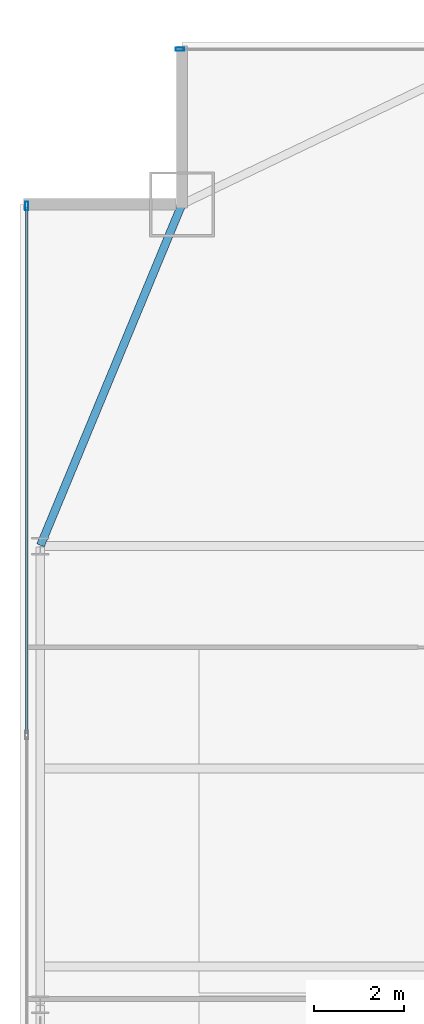
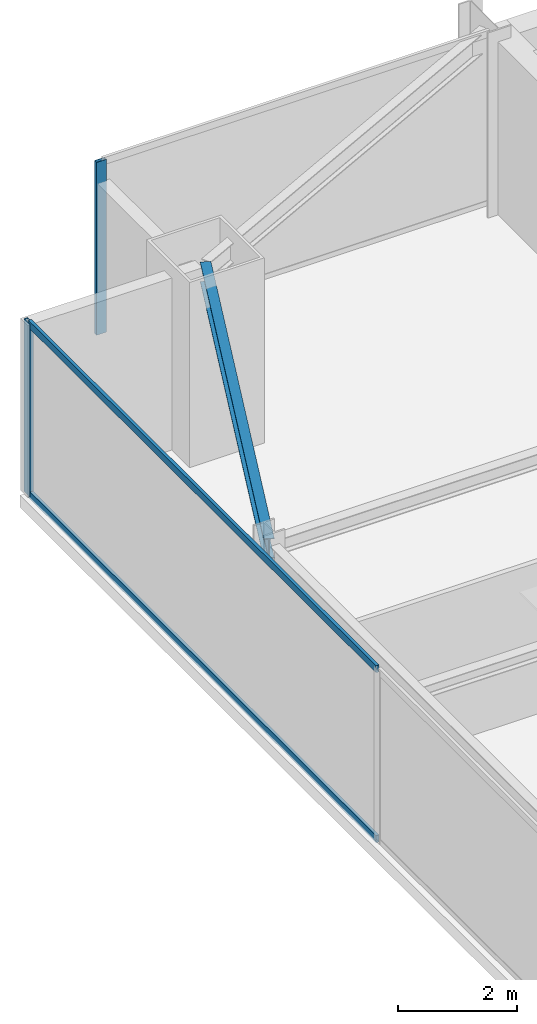
# One storey, part 21 of 33: 4 members, 1 beam, 2 elements without a shape of their own.
"""IFC4 building model written with IfcOpenShell, lengths in metres."""

from ifc_helpers import new_model, si_unit, direction, frame, origin, origin_2d, place, context, subcontext, project, spatial, hollow_rectangle, i_section, extrude, source, transform, mapped, material, layer, layer_set, material_profile, profile_set, type_object, type_shapes, element, aggregate, save


model = new_model("IFC4")

# Units and contexts
model_context = context("Model", 3, precision=1e-05, world=origin(), true_north=direction((0.0, 1.0)))
body_context = subcontext(model_context, "Body", "Model", "MODEL_VIEW")
ifc_project = project(units=[si_unit("LENGTHUNIT", "METRE"), si_unit("AREAUNIT", "SQUARE_METRE"), si_unit("VOLUMEUNIT", "CUBIC_METRE"), si_unit("PLANEANGLEUNIT", "RADIAN"), si_unit("MASSUNIT", "GRAM", prefix="KILO")], contexts=[model_context])

# Site, building, storey
site_placement = place(None, origin())
site = spatial("IfcSite", under=ifc_project, at=site_placement, CompositionType="ELEMENT")
building_placement = place(site_placement, origin())
building = spatial("IfcBuilding", under=site, at=building_placement, Name="Varnel Quay Broadcast Tower", CompositionType="ELEMENT")
storey_placement = place(building_placement, frame((0.0, 0.0, 129.60009765625)))
storey = spatial("IfcBuildingStorey", under=building, at=storey_placement, Name="L31", CompositionType="ELEMENT", Elevation=129.60009765625)

# Beam
ifc_material_1 = material(Name="Structural Steel CSA G40.21 350W", Category="steel")
ifc_material_profile_1 = material_profile(ifc_material_1, i_section(OverallWidth=0.180908203125, OverallDepth=0.4169921875, WebThickness=0.010986328125, FlangeThickness=0.018310546875, FilletRadius=0.011962890625, at=origin_2d()), Name="W410X85")
ifc_profile_set_1 = profile_set([ifc_material_profile_1], Name="Structural Steel CSA G40.21 350W")
beam_type = type_object("IfcBeamType", Name="Beam_W410X85", PredefinedType="SPANDREL", material=ifc_profile_set_1)
shared_shape_1 = source(origin(), body_context, "Body", "SweptSolid", [
    extrude(i_section(OverallWidth=0.180908203125, OverallDepth=0.4169921875, WebThickness=0.010986328125, FlangeThickness=0.018310546875, FilletRadius=0.011962890625, at=origin_2d()), origin(), (0.0, 0.0, 1.0), 8.186767578125),
])
type_shapes(beam_type, [shared_shape_1])
beam_placement = place(storey_placement, frame((4.957763671875, 35.618408203125, 3.34130859375), z_axis=(0.382874132092, 0.923800519038, 0.0), x_axis=(-0.923800519038, 0.382874132092, 0.0)))
element("IfcBeam", 1, at=beam_placement, inside=storey, type_object=beam_type, Name="L31 West Spandrel TC-W3-MC-NW", PredefinedType="SPANDREL", context=body_context, shape_type="MappedRepresentation", body=[
    mapped(shared_shape_1, transform((0.0, 0.0, 0.0), x_axis=(1.0, 0.0, 0.0), y_axis=(0.0, 1.0, 0.0), z_axis=(0.0, 0.0, 1.0), scale=1.0)),
])

# Curtain wall, members
ifc_material_2 = material(Name="Anodised Bronze Aluminium 6063-T6", Category="aluminium")
ifc_layer = layer(ifc_material_2, 0.18994140625, Name="Anodised Bronze Aluminium 6063-T6")
ifc_layer_set = layer_set([ifc_layer], Name="Anodised Bronze Aluminium 6063-T6")
curtain_wall_type = type_object("IfcCurtainWallType", Name="CW_LowerTower", PredefinedType="NOTDEFINED", material=ifc_layer_set)
curtain_wall_1_placement = place(storey_placement, origin())
curtain_wall_1 = element("IfcCurtainWall", 2, at=curtain_wall_1_placement, inside=storey, type_object=curtain_wall_type, Name="L31 West Unitised Curtain Wall", PredefinedType="NOTDEFINED")
ifc_material_profile_2 = material_profile(ifc_material_2, hollow_rectangle(XDim=0.06005859375, YDim=0.14501953125, WallThickness=0.00341796875, at=origin_2d()), Name="ALU60X145X3.5")
ifc_profile_set_2 = profile_set([ifc_material_profile_2], Name="Anodised Bronze Aluminium 6063-T6")
member_type_1 = type_object("IfcMemberType", Name="Tran_CWS-02", PredefinedType="USERDEFINED", material=ifc_profile_set_2)
shared_shape_2 = source(origin(), body_context, "Body", "SweptSolid", [
    extrude(hollow_rectangle(XDim=0.06005859375, YDim=0.14501953125, WallThickness=0.00341796875, at=origin_2d()), origin(), (0.0, 0.0, 1.0), 11.69482421875),
])
type_shapes(member_type_1, [shared_shape_2])
member_1_placement = place(storey_placement, frame((4.64990234375, 31.43505859375, 0.02978515625), z_axis=(0.0, 1.0, 0.0), x_axis=(-1.0, 0.0, 0.0)))
member_1 = element("IfcMember", 3, at=member_1_placement, type_object=member_type_1, Name="CWS-02 transom 3.1", ObjectType="TRANSOM", PredefinedType="USERDEFINED", context=body_context, shape_type="MappedRepresentation", body=[
    mapped(shared_shape_2, transform((0.0, 0.0, 0.0), x_axis=(1.0, 0.0, 0.0), y_axis=(0.0, 1.0, 0.0), z_axis=(0.0, 0.0, 1.0), scale=1.0)),
])
member_2_placement = place(storey_placement, frame((4.64990234375, 31.43505859375, 3.52001953125), z_axis=(0.0, 1.0, 0.0), x_axis=(-1.0, 0.0, 0.0)))
member_2 = element("IfcMember", 4, at=member_2_placement, type_object=member_type_1, Name="CWS-02 transom 3.2", ObjectType="TRANSOM", PredefinedType="USERDEFINED", context=body_context, shape_type="MappedRepresentation", body=[
    mapped(shared_shape_2, transform((0.0, 0.0, 0.0), x_axis=(1.0, 0.0, 0.0), y_axis=(0.0, 1.0, 0.0), z_axis=(0.0, 0.0, 1.0), scale=1.0)),
])
ifc_material_profile_3 = material_profile(ifc_material_2, hollow_rectangle(XDim=0.070068359375, YDim=0.18994140625, WallThickness=0.00390625, at=origin_2d()), Name="ALU70X190X4")
ifc_profile_set_3 = profile_set([ifc_material_profile_3], Name="Anodised Bronze Aluminium 6063-T6")
member_type_2 = type_object("IfcMemberType", Name="Mull_CWS-02", PredefinedType="MULLION", material=ifc_profile_set_3)
shared_shape_3 = source(origin(), body_context, "Body", "SweptSolid", [
    extrude(hollow_rectangle(XDim=0.070068359375, YDim=0.18994140625, WallThickness=0.00390625, at=origin_2d()), origin(), (0.0, 0.0, 1.0), 3.5498046875),
])
type_shapes(member_type_2, [shared_shape_3])
member_3_placement = place(storey_placement, frame((4.64990234375, 43.1650390625, 0.0), z_axis=(0.0, 0.0, 1.0), x_axis=(-1.0, 0.0, 0.0)))
member_3 = element("IfcMember", 5, at=member_3_placement, type_object=member_type_2, Name="CWS-02 mullion 4", PredefinedType="MULLION", context=body_context, shape_type="MappedRepresentation", body=[
    mapped(shared_shape_3, transform((0.0, 0.0, 0.0), x_axis=(1.0, 0.0, 0.0), y_axis=(0.0, 1.0, 0.0), z_axis=(0.0, 0.0, 1.0), scale=1.0)),
])
aggregate(curtain_wall_1, [member_3, member_1, member_2])

# Curtain wall, member
curtain_wall_2_placement = place(storey_placement, origin())
curtain_wall_2 = element("IfcCurtainWall", 6, at=curtain_wall_2_placement, inside=storey, type_object=curtain_wall_type, Name="L31 NW Wing Curtain Wall", PredefinedType="NOTDEFINED")
member_4_placement = place(storey_placement, frame((8.054931640625, 46.64990234375, 0.0), z_axis=(0.0, 0.0, 1.0), x_axis=(0.0, 1.0, 0.0)))
member_4 = element("IfcMember", 7, at=member_4_placement, type_object=member_type_2, Name="CWS-02 mullion 1", PredefinedType="MULLION", context=body_context, shape_type="MappedRepresentation", body=[
    mapped(shared_shape_3, transform((0.0, 0.0, 0.0), x_axis=(1.0, 0.0, 0.0), y_axis=(0.0, 1.0, 0.0), z_axis=(0.0, 0.0, 1.0), scale=1.0)),
])
aggregate(curtain_wall_2, [member_4])

save(model, "model.ifc")
